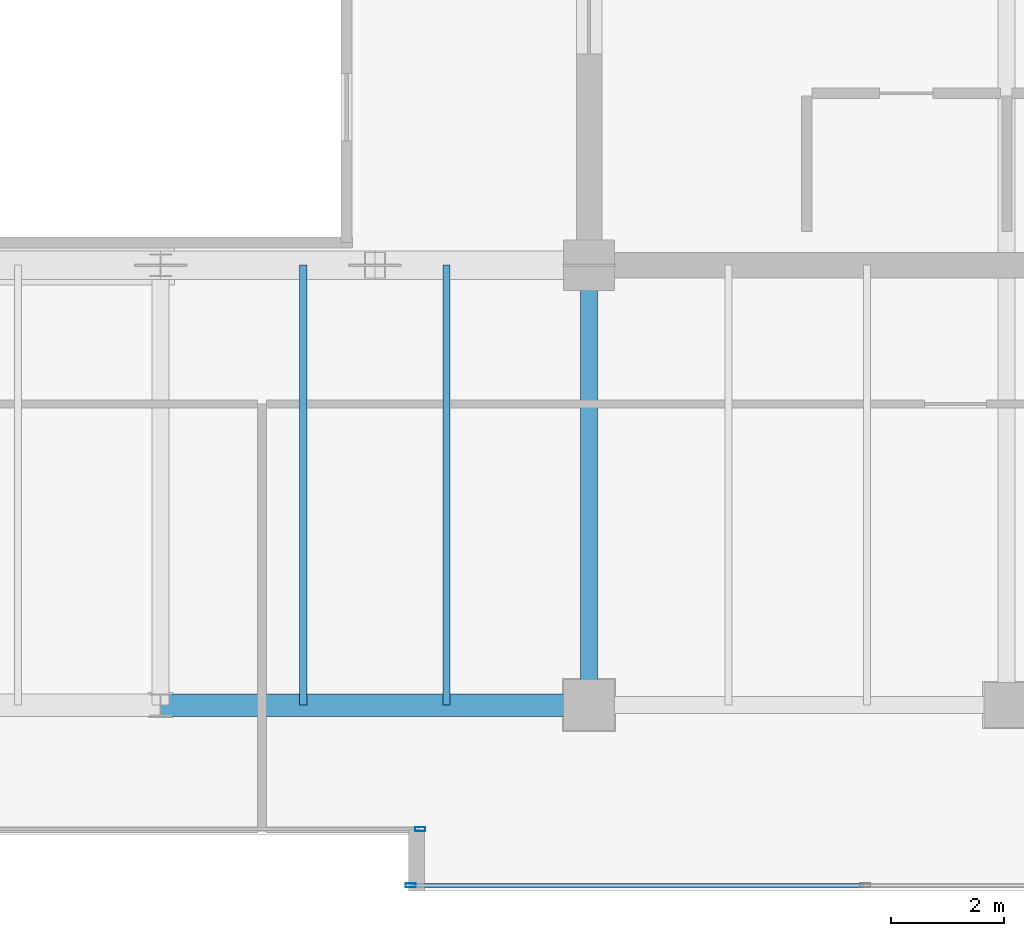
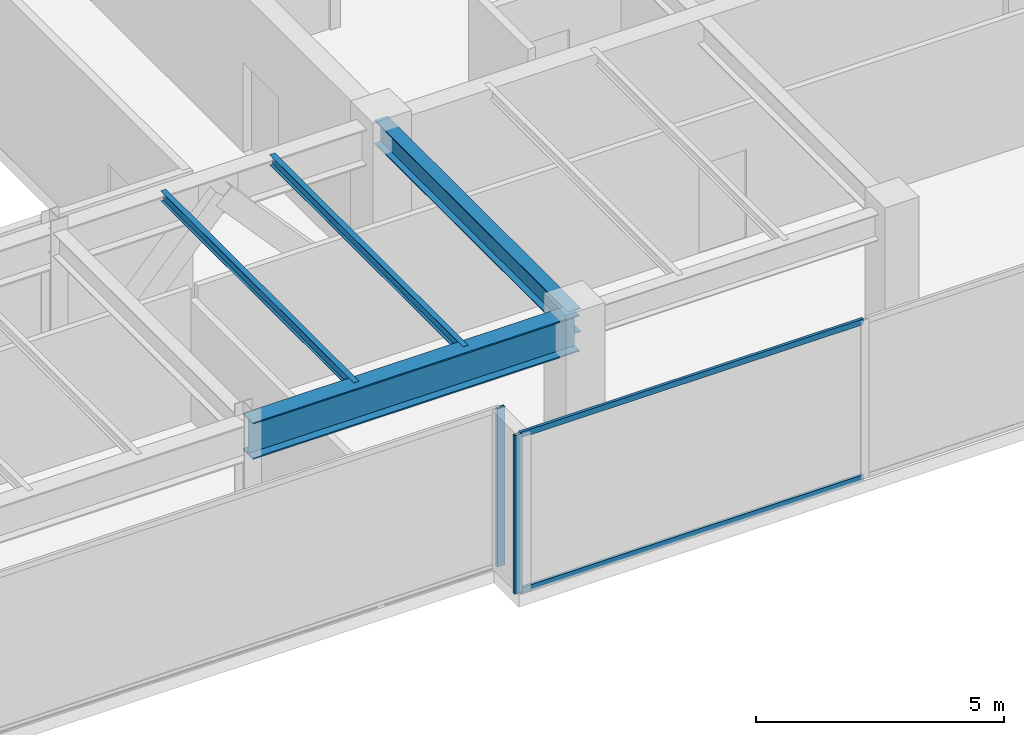
# One storey, part 11 of 32: 4 beams, 4 members, 2 elements without a shape of their own.
"""IFC4 building model written with IfcOpenShell, lengths in metres."""

from ifc_helpers import new_model, si_unit, direction, frame, origin, origin_2d, place, context, subcontext, project, spatial, hollow_rectangle, i_section, extrude, source, transform, mapped, material, layer, layer_set, material_profile, profile_set, type_object, type_shapes, element, aggregate, save


model = new_model("IFC4")

# Units and contexts
model_context = context("Model", 3, precision=1e-05, world=origin(), true_north=direction((0.0, 1.0)))
body_context = subcontext(model_context, "Body", "Model", "MODEL_VIEW")
ifc_project = project(units=[si_unit("LENGTHUNIT", "METRE"), si_unit("AREAUNIT", "SQUARE_METRE"), si_unit("VOLUMEUNIT", "CUBIC_METRE"), si_unit("PLANEANGLEUNIT", "RADIAN"), si_unit("MASSUNIT", "GRAM", prefix="KILO")], contexts=[model_context])

# Site, building, storey
site_placement = place(None, origin())
site = spatial("IfcSite", under=ifc_project, at=site_placement, CompositionType="ELEMENT")
building_placement = place(site_placement, origin())
building = spatial("IfcBuilding", under=site, at=building_placement, Name="Haelvirn Gate Laboratories", CompositionType="ELEMENT")
storey_placement = place(building_placement, frame((0.0, 0.0, 314.39990234375)))
storey = spatial("IfcBuildingStorey", under=building, at=storey_placement, Name="L75", CompositionType="ELEMENT", Elevation=314.39990234375)

# Beams
ifc_material_1 = material(Name="Steel SM420", Category="steel")
ifc_material_profile_1 = material_profile(ifc_material_1, i_section(OverallWidth=0.39990234375, OverallDepth=0.89990234375, WebThickness=0.01904296875, FlangeThickness=0.031982421875, at=origin_2d()), Name="H-900x400x19x32")
ifc_profile_set_1 = profile_set([ifc_material_profile_1], Name="Steel SM420")
beam_type_1 = type_object("IfcBeamType", Name="BM-TG-900", PredefinedType="BEAM", material=ifc_profile_set_1)
shared_shape_1 = source(origin(), body_context, "Body", "SweptSolid", [
    extrude(i_section(OverallWidth=0.39990234375, OverallDepth=0.89990234375, WebThickness=0.01904296875, FlangeThickness=0.031982421875, at=origin_2d()), origin(), (0.0, 0.0, 1.0), 7.60009765625),
])
type_shapes(beam_type_1, [shared_shape_1])
beam_1_placement = place(storey_placement, frame((45.0, 7.0, 3.4501953125), z_axis=(1.0, 0.0, 0.0), x_axis=(0.0, 1.0, 0.0)))
element("IfcBeam", 1, at=beam_1_placement, inside=storey, type_object=beam_type_1, Name="L75 Primary Girder Y7.0 (45.0-52.6)", PredefinedType="BEAM", context=body_context, shape_type="MappedRepresentation", body=[
    mapped(shared_shape_1, transform((0.0, 0.0, 0.0), scale=1.0)),
])
ifc_material_2 = material(Name="Steel SM355", Category="steel")
ifc_material_profile_2 = material_profile(ifc_material_2, i_section(OverallWidth=0.300048828125, OverallDepth=0.587890625, WebThickness=0.011962890625, FlangeThickness=0.02001953125, at=origin_2d()), Name="H-588x300x12x20")
ifc_profile_set_2 = profile_set([ifc_material_profile_2], Name="Steel SM355")
beam_type_2 = type_object("IfcBeamType", Name="BM-G-588", PredefinedType="BEAM", material=ifc_profile_set_2)
shared_shape_2 = source(origin(), body_context, "Body", "SweptSolid", [
    extrude(i_section(OverallWidth=0.300048828125, OverallDepth=0.587890625, WebThickness=0.011962890625, FlangeThickness=0.02001953125, at=origin_2d()), origin(), (0.0, 0.0, 1.0), 7.800048828125),
])
type_shapes(beam_type_2, [shared_shape_2])
beam_2_placement = place(storey_placement, frame((52.60009765625, 7.0, 3.606201171875), z_axis=(0.0, 1.0, 0.0), x_axis=(-1.0, 0.0, 0.0)))
element("IfcBeam", 2, at=beam_2_placement, inside=storey, type_object=beam_type_2, Name="L75 Frame Girder X52.6 (7.0-14.8)", PredefinedType="BEAM", context=body_context, shape_type="MappedRepresentation", body=[
    mapped(shared_shape_2, transform((0.0, 0.0, 0.0), scale=1.0)),
])
ifc_material_profile_3 = material_profile(ifc_material_2, i_section(OverallWidth=0.125, OverallDepth=0.25, WebThickness=0.006103515625, FlangeThickness=0.009033203125, at=origin_2d()), Name="H-250x125x6x9")
ifc_profile_set_3 = profile_set([ifc_material_profile_3], Name="Steel SM355")
beam_type_3 = type_object("IfcBeamType", Name="BM-J-250", PredefinedType="JOIST", material=ifc_profile_set_3)
shared_shape_3 = source(origin(), body_context, "Body", "SweptSolid", [
    extrude(i_section(OverallWidth=0.125, OverallDepth=0.25, WebThickness=0.006103515625, FlangeThickness=0.009033203125, at=origin_2d()), origin(), (0.0, 0.0, 1.0), 7.800048828125),
])
type_shapes(beam_type_3, [shared_shape_3])
for number, where, z_axis, x_axis, name in (
    (3, (47.530029296875, 7.0, 3.775146484375), (0.0, 1.0, 0.0), (-1.0, 0.0, 0.0), "L75 Composite Lab Joist South X47.53"),
    (4, (50.070068359375, 7.0, 3.775146484375), (0.0, 1.0, 0.0), (-1.0, 0.0, 0.0), "L75 Composite Lab Joist South X50.07"),
):
    element("IfcBeam", number, at=place(storey_placement, frame(where, z_axis=z_axis, x_axis=x_axis)), inside=storey, type_object=beam_type_3, Name=name, PredefinedType="JOIST", context=body_context, shape_type="MappedRepresentation", body=[
        mapped(shared_shape_3, transform((0.0, 0.0, 0.0), scale=1.0)),
    ])

# Curtain wall, members
ifc_material_3 = material(Name="Anodised bronze unitised aluminium & triple low-E glass", Category="aluminium")
ifc_layer = layer(ifc_material_3, 0.176025390625, Name="CW-SYS-4")
ifc_layer_set = layer_set([ifc_layer], Name="Anodised bronze unitised aluminium & triple low-E glass")
curtain_wall_type = type_object("IfcCurtainWallType", Name="CW-SYS-4", PredefinedType="NOTDEFINED", material=ifc_layer_set)
curtain_wall_1_placement = place(storey_placement, origin())
curtain_wall_1 = element("IfcCurtainWall", 5, at=curtain_wall_1_placement, inside=storey, type_object=curtain_wall_type, Name="L75 Unitised Curtain Wall CW-L75-P0-E04-1", PredefinedType="NOTDEFINED")
ifc_material_4 = material(Name="Extruded aluminium 6063-T6 (anodised bronze)", Category="aluminium")
ifc_material_profile_4 = material_profile(ifc_material_4, hollow_rectangle(XDim=0.06494140625, YDim=0.139892578125, WallThickness=0.00390625, at=origin_2d()), Name="CWT-140x65x4")
ifc_profile_set_4 = profile_set([ifc_material_profile_4], Name="Extruded aluminium 6063-T6 (anodised bronze)")
member_type_1 = type_object("IfcMemberType", Name="CWT-T140", PredefinedType="USERDEFINED", material=ifc_profile_set_4)
shared_shape_4 = source(origin(), body_context, "Body", "SweptSolid", [
    extrude(hollow_rectangle(XDim=0.06494140625, YDim=0.139892578125, WallThickness=0.00390625, at=origin_2d()), origin(), (0.0, 0.0, 1.0), 7.9951171875),
])
type_shapes(member_type_1, [shared_shape_4])
member_1_placement = place(storey_placement, frame((49.469970703125, 3.800048828125, 0.03271484375), z_axis=(1.0, 0.0, 0.0), x_axis=(0.0, 1.0, 0.0)))
member_1 = element("IfcMember", 6, at=member_1_placement, type_object=member_type_1, Name="CW4 transom 1.1", ObjectType="TRANSOM", PredefinedType="USERDEFINED", context=body_context, shape_type="MappedRepresentation", body=[
    mapped(shared_shape_4, transform((0.0, 0.0, 0.0), scale=1.0)),
])
member_2_placement = place(storey_placement, frame((49.469970703125, 3.800048828125, 3.86767578125), z_axis=(1.0, 0.0, 0.0), x_axis=(0.0, 1.0, 0.0)))
member_2 = element("IfcMember", 7, at=member_2_placement, type_object=member_type_1, Name="CW4 transom 1.2", ObjectType="TRANSOM", PredefinedType="USERDEFINED", context=body_context, shape_type="MappedRepresentation", body=[
    mapped(shared_shape_4, transform((0.0, 0.0, 0.0), scale=1.0)),
])

# Curtain wall, member
curtain_wall_2_placement = place(storey_placement, origin())
curtain_wall_2 = element("IfcCurtainWall", 8, at=curtain_wall_2_placement, inside=storey, type_object=curtain_wall_type, Name="L75 Unitised Curtain Wall CW-L75-P0-E02-1", PredefinedType="NOTDEFINED")
ifc_material_profile_5 = material_profile(ifc_material_4, hollow_rectangle(XDim=0.070068359375, YDim=0.179931640625, WallThickness=0.0048828125, at=origin_2d()), Name="CWM-180x70x5")
ifc_profile_set_5 = profile_set([ifc_material_profile_5], Name="Extruded aluminium 6063-T6 (anodised bronze)")
member_type_2 = type_object("IfcMemberType", Name="CWM-T180", PredefinedType="MULLION", material=ifc_profile_set_5)
shared_shape_5 = source(origin(), body_context, "Body", "SweptSolid", [
    extrude(hollow_rectangle(XDim=0.070068359375, YDim=0.179931640625, WallThickness=0.0048828125, at=origin_2d()), origin(), (0.0, 0.0, 1.0), 3.900146484375),
])
type_shapes(member_type_2, [shared_shape_5])
member_3_placement = place(storey_placement, frame((49.60498046875, 4.800048828125, 0.0), z_axis=(0.0, 0.0, 1.0), x_axis=(0.0, 1.0, 0.0)))
member_3 = element("IfcMember", 9, at=member_3_placement, type_object=member_type_2, Name="CW4 mullion 3", PredefinedType="MULLION", context=body_context, shape_type="MappedRepresentation", body=[
    mapped(shared_shape_5, transform((0.0, 0.0, 0.0), scale=1.0)),
])
aggregate(curtain_wall_2, [member_3])

# Member
member_4_placement = place(storey_placement, frame((49.43505859375, 3.800048828125, 0.0), z_axis=(0.0, 0.0, 1.0), x_axis=(0.0, 1.0, 0.0)))
member_4 = element("IfcMember", 10, at=member_4_placement, type_object=member_type_2, Name="CW4 mullion 1", PredefinedType="MULLION", context=body_context, shape_type="MappedRepresentation", body=[
    mapped(shared_shape_5, transform((0.0, 0.0, 0.0), scale=1.0)),
])

aggregate(curtain_wall_1, [member_4, member_1, member_2])

save(model, "model.ifc")
